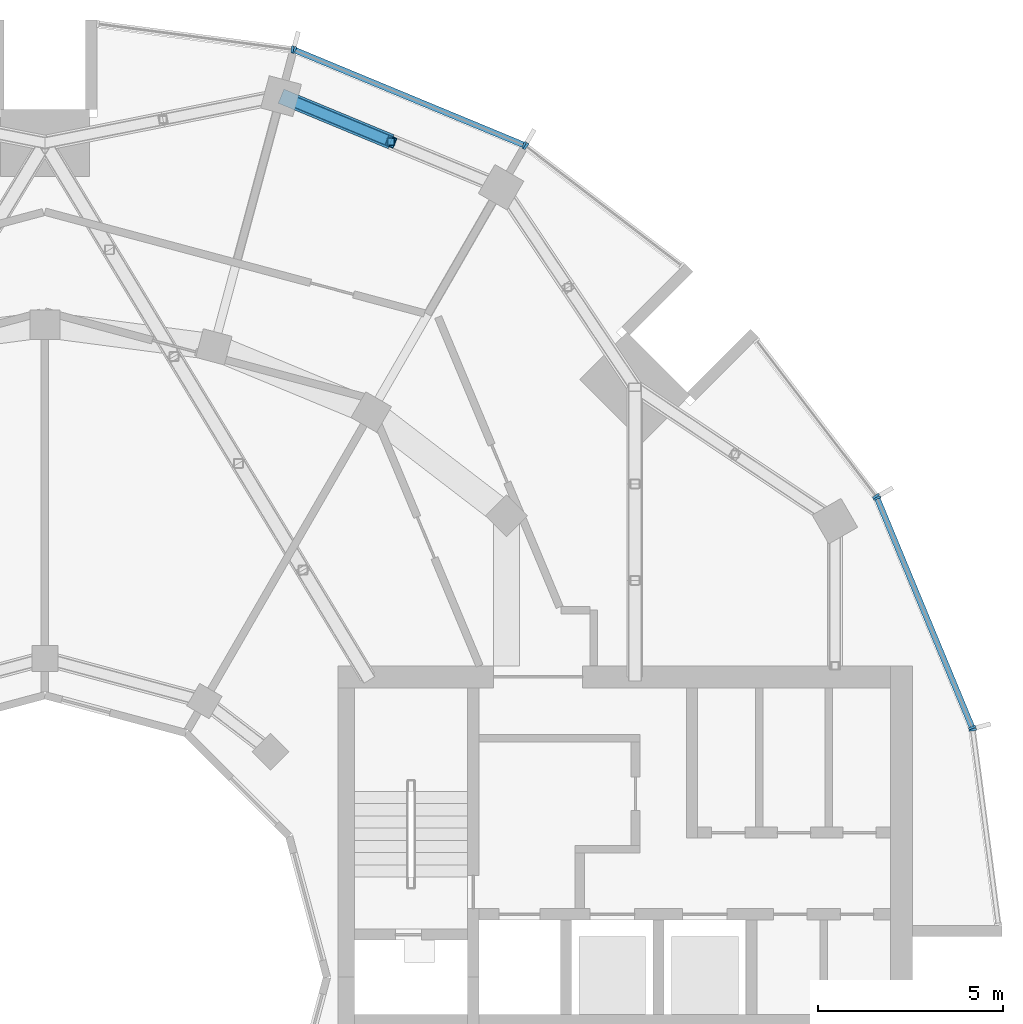
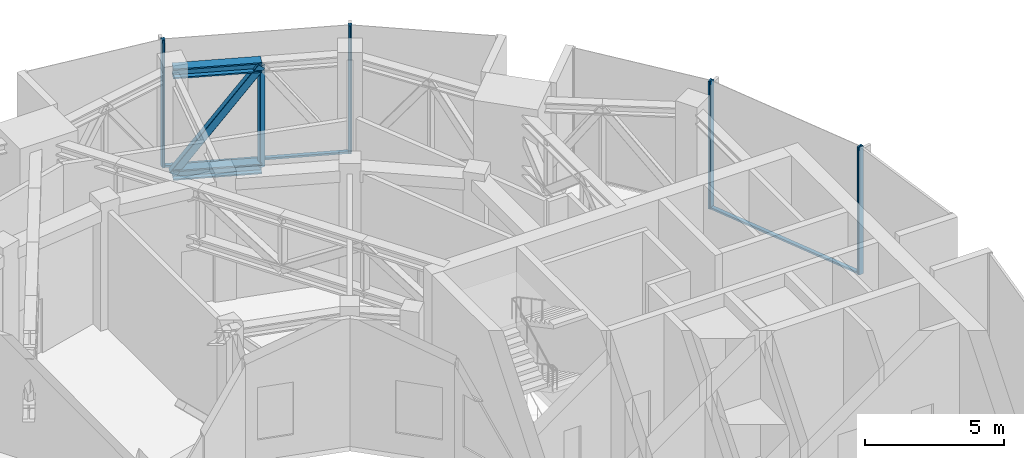
# One storey, part 10 of 18: 14 members, 6 elements without a shape of their own.
"""IFC4 building model written with IfcOpenShell, lengths in metres."""

from ifc_helpers import new_model, si_unit, direction, frame, origin, origin_2d, place, context, subcontext, project, spatial, rectangle, hollow_rectangle, i_section, extrude, material, layer, layer_set, material_profile, profile_set, type_object, element, aggregate, save


model = new_model("IFC4")

# Units and contexts
model_context = context("Model", 3, precision=1e-05, world=origin(), true_north=direction((0.0, 1.0)))
body_context = subcontext(model_context, "Body", "Model", "MODEL_VIEW")
ifc_project = project(units=[si_unit("LENGTHUNIT", "METRE"), si_unit("AREAUNIT", "SQUARE_METRE"), si_unit("VOLUMEUNIT", "CUBIC_METRE"), si_unit("PLANEANGLEUNIT", "RADIAN"), si_unit("MASSUNIT", "GRAM", prefix="KILO")], contexts=[model_context])

# Site, building, storey
site_placement = place(None, origin())
site = spatial("IfcSite", under=ifc_project, at=site_placement, CompositionType="ELEMENT")
building_placement = place(site_placement, origin())
building = spatial("IfcBuilding", under=site, at=building_placement, Name="Torre Brocal", CompositionType="ELEMENT")
storey_placement = place(building_placement, frame((0.0, 0.0, 206.89990234375)))
storey = spatial("IfcBuildingStorey", under=building, at=storey_placement, Name="L48", CompositionType="ELEMENT", Elevation=206.89990234375)

# Member
ifc_material_1 = material(Name="Steel A500 Grade C", Category="steel")
ifc_material_profile_1 = material_profile(ifc_material_1, hollow_rectangle(XDim=0.203125, YDim=0.203125, WallThickness=0.01171875, InnerFilletRadius=0.01171875, OuterFilletRadius=0.023681640625, at=origin_2d()), Name="HSS8X8X1/2")
ifc_profile_set_1 = profile_set([ifc_material_profile_1], Name="Steel A500 Grade C")
member_type_1 = type_object("IfcMemberType", Name="BELT 2 POST HSS8X8X1/2", PredefinedType="POST", material=ifc_profile_set_1)
member_1_placement = place(storey_placement, frame((89.33349609375, 97.532958984375, 0.6171875), z_axis=(0.0, 0.0, 1.0), x_axis=(1.0, 0.0, 0.0)))
element("IfcMember", 1, at=member_1_placement, inside=storey, type_object=member_type_1, Name="Member BT2-P03", PredefinedType="POST", context=body_context, shape_type="SweptSolid", body=[
    extrude(hollow_rectangle(XDim=0.203125, YDim=0.203125, WallThickness=0.01171875, InnerFilletRadius=0.01171875, OuterFilletRadius=0.023681640625, at=origin_2d()), origin(), (0.0, 0.0, 1.0), 4.44580078125),
])

# Curtain wall, members
ifc_material_2 = material(Name="Aluminium and glass", Category="aluminium")
ifc_layer_1 = layer(ifc_material_2, 0.199951171875)
ifc_layer_set_1 = layer_set([ifc_layer_1], Name="Aluminium and glass")
curtain_wall_type_1 = type_object("IfcCurtainWallType", Name="CW-1 CURTAIN WALL 5600 HIGH", PredefinedType="NOTDEFINED", material=ifc_layer_set_1)
curtain_wall_1_placement = place(storey_placement, origin())
curtain_wall_1 = element("IfcCurtainWall", 2, at=curtain_wall_1_placement, inside=storey, type_object=curtain_wall_type_1, Name="CW-1 RUN 2", PredefinedType="NOTDEFINED")
ifc_material_3 = material(Name="Aluminium, dark anodised", Category="aluminium")
ifc_material_profile_2 = material_profile(ifc_material_3, rectangle(XDim=0.199951171875, YDim=0.06005859375, at=origin_2d()), Name="CW-1 MULLION 60X200")
ifc_profile_set_2 = profile_set([ifc_material_profile_2], Name="Aluminium, dark anodised")
member_type_2 = type_object("IfcMemberType", Name="CW-1 MULLION 60X200", PredefinedType="MULLION", material=ifc_profile_set_2)
member_2_placement = place(storey_placement, frame((105.005126953125, 81.73095703125, 0.0), z_axis=(0.0, 0.0, 1.0), x_axis=(-0.923879532525, -0.382683432333, 0.0)))
member_2 = element("IfcMember", 3, at=member_2_placement, type_object=member_type_2, Name="CW1-2 mullion 1", PredefinedType="MULLION", context=body_context, shape_type="SweptSolid", body=[
    extrude(rectangle(XDim=0.199951171875, YDim=0.06005859375, at=origin_2d()), origin(), (0.0, 0.0, 1.0), 5.60009765625),
])
member_3_placement = place(storey_placement, frame((102.440673828125, 87.921875, 0.0), z_axis=(0.0, 0.0, 1.0), x_axis=(-0.923879532525, -0.382683432333, 0.0)))
member_3 = element("IfcMember", 4, at=member_3_placement, type_object=member_type_2, Name="CW1-2 mullion 2", PredefinedType="MULLION", context=body_context, shape_type="SweptSolid", body=[
    extrude(rectangle(XDim=0.199951171875, YDim=0.06005859375, at=origin_2d()), origin(), (0.0, 0.0, 1.0), 5.60009765625),
])

# Curtain wall, member
curtain_wall_2_placement = place(storey_placement, origin())
curtain_wall_2 = element("IfcCurtainWall", 5, at=curtain_wall_2_placement, inside=storey, type_object=curtain_wall_type_1, Name="CW-1 RUN 3", PredefinedType="NOTDEFINED")
member_4_placement = place(storey_placement, frame((102.4111328125, 87.973388671875, 0.0), z_axis=(0.0, 0.0, 1.0), x_axis=(-0.793353340259, -0.60876142905, 0.0)))
member_4 = element("IfcMember", 6, at=member_4_placement, type_object=member_type_2, Name="CW1-2 mullion 1", PredefinedType="MULLION", context=body_context, shape_type="SweptSolid", body=[
    extrude(rectangle(XDim=0.199951171875, YDim=0.06005859375, at=origin_2d()), origin(), (0.0, 0.0, 1.0), 5.60009765625),
])
aggregate(curtain_wall_2, [member_4])

curtain_wall_3_placement = place(storey_placement, origin())
curtain_wall_3 = element("IfcCurtainWall", 7, at=curtain_wall_3_placement, inside=storey, type_object=curtain_wall_type_1, Name="CW-1 RUN 4", PredefinedType="NOTDEFINED")
member_5_placement = place(storey_placement, frame((92.973388671875, 97.4111328125, 0.0), z_axis=(0.0, 0.0, 1.0), x_axis=(-0.60876142905, -0.793353340259, 0.0)))
member_5 = element("IfcMember", 8, at=member_5_placement, type_object=member_type_2, Name="CW1-2 mullion 2", PredefinedType="MULLION", context=body_context, shape_type="SweptSolid", body=[
    extrude(rectangle(XDim=0.199951171875, YDim=0.06005859375, at=origin_2d()), origin(), (0.0, 0.0, 1.0), 5.60009765625),
])
aggregate(curtain_wall_3, [member_5])

# Curtain wall, members
curtain_wall_4_placement = place(storey_placement, origin())
curtain_wall_4 = element("IfcCurtainWall", 9, at=curtain_wall_4_placement, inside=storey, type_object=curtain_wall_type_1, Name="CW-1 RUN 5", PredefinedType="NOTDEFINED")
member_6_placement = place(storey_placement, frame((92.921875, 97.440673828125, 0.0), z_axis=(0.0, 0.0, 1.0), x_axis=(-0.382683432333, -0.923879532525, 0.0)))
member_6 = element("IfcMember", 10, at=member_6_placement, type_object=member_type_2, Name="CW1-2 mullion 1", PredefinedType="MULLION", context=body_context, shape_type="SweptSolid", body=[
    extrude(rectangle(XDim=0.199951171875, YDim=0.06005859375, at=origin_2d()), origin(), (0.0, 0.0, 1.0), 5.60009765625),
])
member_7_placement = place(storey_placement, frame((86.73095703125, 100.005126953125, 0.0), z_axis=(0.0, 0.0, 1.0), x_axis=(-0.382683432333, -0.923879532525, 0.0)))
member_7 = element("IfcMember", 11, at=member_7_placement, type_object=member_type_2, Name="CW1-2 mullion 2", PredefinedType="MULLION", context=body_context, shape_type="SweptSolid", body=[
    extrude(rectangle(XDim=0.199951171875, YDim=0.06005859375, at=origin_2d()), origin(), (0.0, 0.0, 1.0), 5.60009765625),
])

# Curtain wall, member
curtain_wall_5_placement = place(storey_placement, origin())
curtain_wall_5 = element("IfcCurtainWall", 12, at=curtain_wall_5_placement, inside=storey, type_object=curtain_wall_type_1, Name="CW-1 RUN 6", PredefinedType="NOTDEFINED")
member_8_placement = place(storey_placement, frame((86.67333984375, 100.0205078125, 0.0), z_axis=(0.0, 0.0, 1.0), x_axis=(-0.13052619222, -0.991444861374, 0.0)))
member_8 = element("IfcMember", 13, at=member_8_placement, type_object=member_type_2, Name="CW1-2 mullion 1", PredefinedType="MULLION", context=body_context, shape_type="SweptSolid", body=[
    extrude(rectangle(XDim=0.199951171875, YDim=0.06005859375, at=origin_2d()), origin(), (0.0, 0.0, 1.0), 5.60009765625),
])
aggregate(curtain_wall_5, [member_8])

# Member
ifc_material_4 = material(Name="Aluminium, dark anodised", Category="aluminium")
ifc_material_profile_3 = material_profile(ifc_material_4, rectangle(XDim=0.159912109375, YDim=0.080078125, at=origin_2d()), Name="CW-1 TRANSOM 160X80")
ifc_profile_set_3 = profile_set([ifc_material_profile_3], Name="Aluminium, dark anodised")
member_type_3 = type_object("IfcMemberType", Name="CW-1 TRANSOM 160X80", PredefinedType="USERDEFINED", material=ifc_profile_set_3)
member_9_placement = place(storey_placement, frame((104.99365234375, 81.758544921875, 0.0400390625), z_axis=(-0.38266457234, 0.923887344364, 0.0), x_axis=(-0.923887344364, -0.38266457234, 0.0)))
member_9 = element("IfcMember", 14, at=member_9_placement, type_object=member_type_3, Name="CW1-2 transom 1.1", ObjectType="TRANSOM", PredefinedType="USERDEFINED", context=body_context, shape_type="SweptSolid", body=[
    extrude(rectangle(XDim=0.159912109375, YDim=0.080078125, at=origin_2d()), origin(), (0.0, 0.0, 1.0), 6.640869140625),
])

aggregate(curtain_wall_1, [member_2, member_3, member_9])

member_10_placement = place(storey_placement, frame((92.89404296875, 97.452392578125, 0.0400390625), z_axis=(-0.923887344364, 0.38266457234, 0.0), x_axis=(-0.38266457234, -0.923887344364, 0.0)))
member_10 = element("IfcMember", 15, at=member_10_placement, type_object=member_type_3, Name="CW1-2 transom 1.1", ObjectType="TRANSOM", PredefinedType="USERDEFINED", context=body_context, shape_type="SweptSolid", body=[
    extrude(rectangle(XDim=0.159912109375, YDim=0.080078125, at=origin_2d()), origin(), (0.0, 0.0, 1.0), 6.640869140625),
])

aggregate(curtain_wall_4, [member_6, member_7, member_10])

# Curtain wall, member
ifc_material_5 = material(Name="Aluminium and glass", Category="aluminium")
ifc_layer_2 = layer(ifc_material_5, 0.199951171875)
ifc_layer_set_2 = layer_set([ifc_layer_2], Name="Aluminium and glass")
curtain_wall_type_2 = type_object("IfcCurtainWallType", Name="CW-1B CURTAIN WALL 5600 HIGH", PredefinedType="NOTDEFINED", material=ifc_layer_set_2)
curtain_wall_6_placement = place(storey_placement, origin())
curtain_wall_6 = element("IfcCurtainWall", 16, at=curtain_wall_6_placement, inside=storey, type_object=curtain_wall_type_2, Name="CW-1B RUN 1", PredefinedType="NOTDEFINED")
ifc_material_6 = material(Name="Aluminium, dark anodised", Category="aluminium")
ifc_material_profile_4 = material_profile(ifc_material_6, rectangle(XDim=0.199951171875, YDim=0.06005859375, at=origin_2d()), Name="CW-1B MULLION 60X200")
ifc_profile_set_4 = profile_set([ifc_material_profile_4], Name="Aluminium, dark anodised")
member_type_4 = type_object("IfcMemberType", Name="CW-1B MULLION 60X200", PredefinedType="MULLION", material=ifc_profile_set_4)
member_11_placement = place(storey_placement, frame((105.0205078125, 81.67333984375, 0.0), z_axis=(0.0, 0.0, 1.0), x_axis=(-0.991444861374, -0.13052619222, 0.0)))
member_11 = element("IfcMember", 17, at=member_11_placement, type_object=member_type_4, Name="CW1B-2 mullion 2", PredefinedType="MULLION", context=body_context, shape_type="SweptSolid", body=[
    extrude(rectangle(XDim=0.199951171875, YDim=0.06005859375, at=origin_2d()), origin(), (0.0, 0.0, 1.0), 5.60009765625),
])
aggregate(curtain_wall_6, [member_11])

# Members
ifc_material_7 = material(Name="Steel A992", Category="steel")
ifc_material_profile_5 = material_profile(ifc_material_7, i_section(OverallWidth=0.41162109375, OverallDepth=0.434326171875, WebThickness=0.035888671875, FlangeThickness=0.057373046875, at=origin_2d()), Name="W14X311")
ifc_profile_set_5 = profile_set([ifc_material_profile_5], Name="Steel A992")
member_type_5 = type_object("IfcMemberType", Name="TRUSS BOTTOM CHORD W14X311", PredefinedType="CHORD", material=ifc_profile_set_5)
member_12_placement = place(storey_placement, frame((89.33349609375, 97.532958984375, 0.6171875), z_axis=(-0.923882462513, 0.382676358639, 0.0), x_axis=(-0.382676358639, -0.923882462513, 0.0)))
element("IfcMember", 18, at=member_12_placement, inside=storey, type_object=member_type_5, Name="Member BT2-C12", PredefinedType="CHORD", context=body_context, shape_type="SweptSolid", body=[
    extrude(i_section(OverallWidth=0.41162109375, OverallDepth=0.434326171875, WebThickness=0.035888671875, FlangeThickness=0.057373046875, at=origin_2d()), origin(), (0.0, 0.0, 1.0), 3.2109375),
])
ifc_material_8 = material(Name="Steel A500 Grade C", Category="steel")
ifc_material_profile_6 = material_profile(ifc_material_8, hollow_rectangle(XDim=0.3046875, YDim=0.3046875, WallThickness=0.014892578125, InnerFilletRadius=0.014892578125, OuterFilletRadius=0.029541015625, at=origin_2d()), Name="HSS12X12X5/8")
ifc_profile_set_6 = profile_set([ifc_material_profile_6], Name="Steel A500 Grade C")
member_type_6 = type_object("IfcMemberType", Name="TRUSS DIAGONAL HSS12X12X5/8", PredefinedType="BRACE", material=ifc_profile_set_6)
member_13_placement = place(storey_placement, frame((89.33349609375, 97.532958984375, 5.06298828125), z_axis=(-0.540936327558, 0.22405831097, -0.810669946904), x_axis=(-0.382676358639, -0.923882462513, 0.0)))
element("IfcMember", 19, at=member_13_placement, inside=storey, type_object=member_type_6, Name="Member BT2-D06", PredefinedType="BRACE", context=body_context, shape_type="SweptSolid", body=[
    extrude(hollow_rectangle(XDim=0.3046875, YDim=0.3046875, WallThickness=0.014892578125, InnerFilletRadius=0.014892578125, OuterFilletRadius=0.029541015625, at=origin_2d()), origin(), (0.0, 0.0, 1.0), 5.484130859375),
])
ifc_material_9 = material(Name="Steel A992", Category="steel")
ifc_material_profile_7 = material_profile(ifc_material_9, i_section(OverallWidth=0.41162109375, OverallDepth=0.434326171875, WebThickness=0.035888671875, FlangeThickness=0.057373046875, at=origin_2d()), Name="W14X311")
ifc_profile_set_7 = profile_set([ifc_material_profile_7], Name="Steel A992")
member_type_7 = type_object("IfcMemberType", Name="TRUSS TOP CHORD W14X311", PredefinedType="CHORD", material=ifc_profile_set_7)
member_14_placement = place(storey_placement, frame((89.33349609375, 97.532958984375, 5.06298828125), z_axis=(-0.923882462513, 0.382676358639, 0.0), x_axis=(-0.382676358639, -0.923882462513, 0.0)))
element("IfcMember", 20, at=member_14_placement, inside=storey, type_object=member_type_7, Name="Member BT2-C11", PredefinedType="CHORD", context=body_context, shape_type="SweptSolid", body=[
    extrude(i_section(OverallWidth=0.41162109375, OverallDepth=0.434326171875, WebThickness=0.035888671875, FlangeThickness=0.057373046875, at=origin_2d()), origin(), (0.0, 0.0, 1.0), 3.2109375),
])

save(model, "model.ifc")
